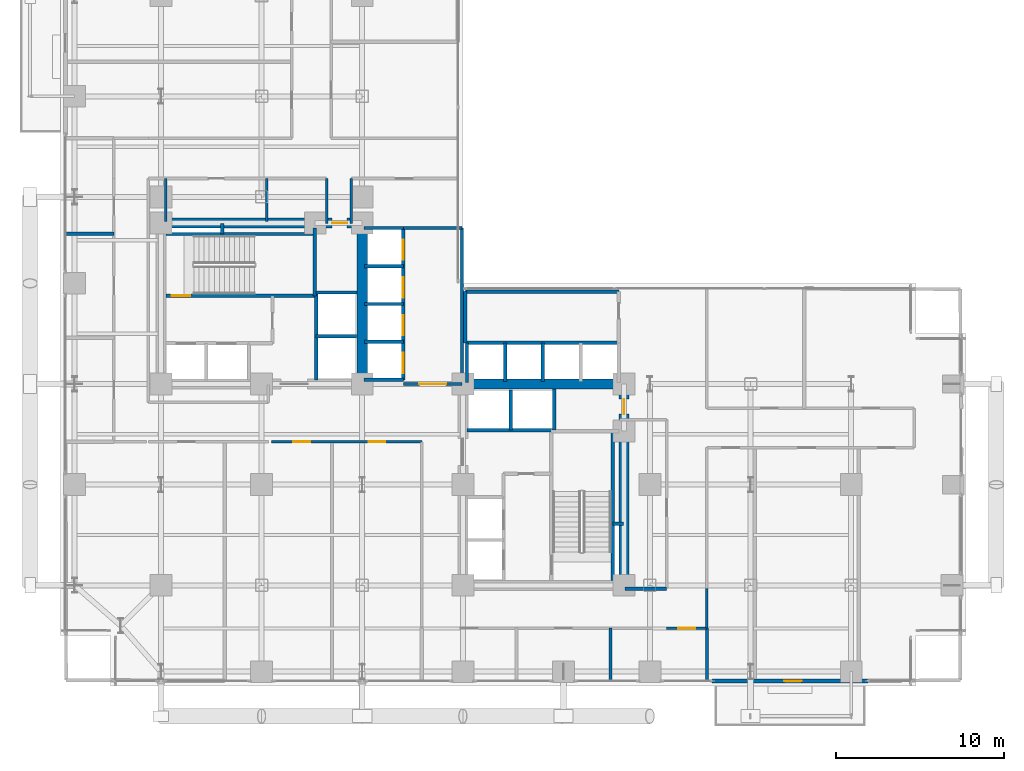
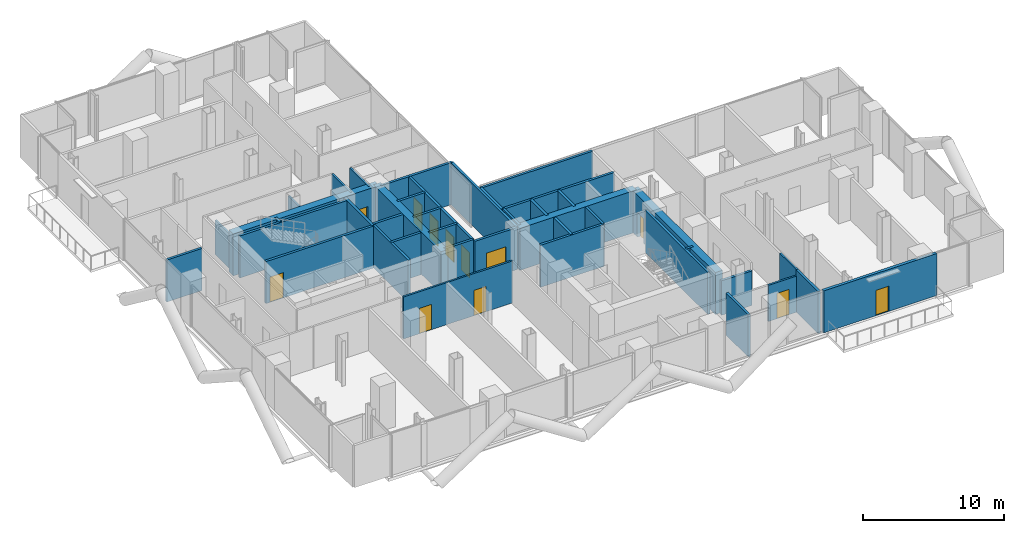
# One storey, part 22 of 27: 43 walls, 12 doors, 12 openings.
"""IFC4 building model written with IfcOpenShell, lengths in metres."""

from ifc_helpers import new_model, si_unit, direction, frame, frame_2d, origin, place, context, subcontext, project, spatial, rectangle, extrude, material, layer, layer_set, type_object, element, fill, save


model = new_model("IFC4")

# Units and contexts
model_context = context("Model", 3, precision=1e-05, world=origin(), true_north=direction((0.0, 1.0)))
body_context = subcontext(model_context, "Body", "Model", "MODEL_VIEW")
ifc_project = project(units=[si_unit("LENGTHUNIT", "METRE"), si_unit("AREAUNIT", "SQUARE_METRE"), si_unit("VOLUMEUNIT", "CUBIC_METRE"), si_unit("PLANEANGLEUNIT", "RADIAN"), si_unit("MASSUNIT", "GRAM", prefix="KILO"), si_unit("THERMODYNAMICTEMPERATUREUNIT", "KELVIN"), si_unit("POWERUNIT", "WATT")], contexts=[model_context])

# Site, building, storey
site_placement = place(None, origin())
site = spatial("IfcSite", under=ifc_project, at=site_placement, CompositionType="ELEMENT")
building_placement = place(site_placement, origin())
building = spatial("IfcBuilding", under=site, at=building_placement, Name="Svarakhadi Broadcast Tower", CompositionType="ELEMENT")
storey_placement = place(building_placement, frame((0.0, 0.0, 71.39990234375)))
storey = spatial("IfcBuildingStorey", under=building, at=storey_placement, Name="L16", CompositionType="ELEMENT", Elevation=71.39990234375)

# Walls
ifc_material_1 = material(Name="Double-Stud Acoustic Studio Partition STC-62", Category="gypsum")
ifc_layer_1 = layer(ifc_material_1, 0.199951171875)
ifc_layer_set_1 = layer_set([ifc_layer_1], Name="Double-Stud Acoustic Studio Partition STC-62")
wall_type_1 = type_object("IfcWallType", Name="Wall_Acoust_200", PredefinedType="PARTITIONING", material=ifc_layer_set_1)
wall_1_placement = place(storey_placement, frame((0.300048828125, 26.949951171875, 0.0), z_axis=(0.0, 0.0, 1.0), x_axis=(1.0, 0.0, 0.0)))
element("IfcWall", 1, at=wall_1_placement, inside=storey, type_object=wall_type_1, Name="L16 Live Translation Studio Wall", PredefinedType="PARTITIONING", context=body_context, shape_type="SweptSolid", body=[
    extrude(rectangle(XDim=2.89990234375, YDim=0.199951171875, at=frame_2d((1.449951171875, 0.0))), origin(), (0.0, 0.0, 1.0), 3.650146484375),
])
for number, where, z_axis, x_axis, name in (
    (2, (32.800048828125, 0.300048828125, 0.0), (0.0, 0.0, 1.0), (0.0, 1.0, 0.0), "L16 Media Legal Review Office Wall"),
    (3, (38.550048828125, 0.300048828125, 0.0), (0.0, 0.0, 1.0), (0.0, 1.0, 0.0), "L16 Broadcast Staff Refreshment Pantry Wall"),
):
    element("IfcWall", number, at=place(storey_placement, frame(where, z_axis=z_axis, x_axis=x_axis)), inside=storey, type_object=wall_type_1, Name=name, PredefinedType="PARTITIONING", context=body_context, shape_type="SweptSolid", body=[
        extrude(rectangle(XDim=3.14990234375, YDim=0.199951171875, at=frame_2d((1.574951171875, 0.0))), origin(), (0.0, 0.0, 1.0), 3.650146484375),
    ])
wall_2_placement = place(storey_placement, frame((33.64990234375, 5.800048828125, 0.0), z_axis=(0.0, 0.0, 1.0), x_axis=(1.0, 0.0, 0.0)))
element("IfcWall", 4, at=wall_2_placement, inside=storey, type_object=wall_type_1, Name="L16 Live Feed Monitoring Studio Wall", PredefinedType="PARTITIONING", context=body_context, shape_type="SweptSolid", body=[
    extrude(rectangle(XDim=2.5, YDim=0.199951171875, at=frame_2d((1.25, 0.0))), origin(), (0.0, 0.0, 1.0), 2.9921875),
])

# Wall, opening, door
ifc_material_2 = material(Name="Concrete C40/50 (IS 456 M50)", Category="concrete")
ifc_layer_2 = layer(ifc_material_2, 0.239990234375)
ifc_layer_set_2 = layer_set([ifc_layer_2], Name="Concrete C40/50 (IS 456 M50)")
wall_type_2 = type_object("IfcWallType", Name="Wall_Ext_240", PredefinedType="SOLIDWALL", material=ifc_layer_set_2)
wall_3_placement = place(storey_placement, frame((48.14501953125, 0.300048828125, 0.0), z_axis=(0.0, 0.0, 1.0), x_axis=(-1.0, 0.0, 0.0)))
wall_3 = element("IfcWall", 5, at=wall_3_placement, inside=storey, type_object=wall_type_2, Name="L16 South Tree Balcony Spandrel Wall", PredefinedType="SOLIDWALL", context=body_context, shape_type="SweptSolid", body=[
    extrude(rectangle(XDim=9.2900390625, YDim=0.239990234375, at=frame_2d((4.64501953125, 0.0))), origin(), (0.0, 0.0, 1.0), 3.650146484375),
])
opening_1_placement = place(wall_3_placement, frame((3.945068359375, 0.0, 0.0)))
opening_1 = element("IfcOpeningElement", 6, at=opening_1_placement, cuts=wall_3, Name="Opening ED-06", PredefinedType="OPENING", context=body_context, shape_type="SweptSolid", body=[
    extrude(rectangle(XDim=1.050048828125, YDim=2.199951171875, at=frame_2d((0.52490234375, 1.10009765625))), frame((0.0, 0.1298828125, 0.0), z_axis=(0.0, -1.0, 0.0), x_axis=(1.0, 0.0, 0.0)), (0.0, 0.0, 1.0), 0.260009765625),
])
ifc_material_3 = material(Name="Anodised Bronze Aluminium AA 6063-T6", Category="aluminium")
door_type_1 = type_object("IfcDoorType", Name="Door_Ext_ED06", OperationType="SINGLE_SWING_RIGHT", PredefinedType="DOOR", material=ifc_material_3)
door_1_placement = place(opening_1_placement, origin())
door_1 = element("IfcDoor", 7, at=door_1_placement, inside=storey, type_object=door_type_1, Name="L16 South Tree Balcony Door", OperationType="SINGLE_SWING_RIGHT", OverallHeight=2.199951171875, OverallWidth=1.050048828125, PredefinedType="DOOR", context=body_context, shape_type="SweptSolid", body=[
    extrude(rectangle(XDim=1.050048828125, YDim=2.199951171875, at=frame_2d((0.52490234375, 1.10009765625))), frame((0.0, 0.02490234375, 0.0), z_axis=(0.0, -1.0, 0.0), x_axis=(1.0, 0.0, 0.0)), (0.0, 0.0, 1.0), 0.050048828125),
])
fill(opening_1, door_1)

# Walls
ifc_layer_3 = layer(ifc_material_2, 0.199951171875)
ifc_layer_set_3 = layer_set([ifc_layer_3], Name="Concrete C40/50 (IS 456 M50)")
wall_type_3 = type_object("IfcWallType", Name="Wall_Fire_200", PredefinedType="SOLIDWALL", material=ifc_layer_set_3)
for number, where, z_axis, x_axis, name in (
    (8, (9.659912109375, 26.93994140625, 0.0), (0.0, 0.0, 1.0), (0.0, 1.0, 0.0), "L16 Wet Riser Shaft East Wall"),
    (9, (32.93994140625, 9.659912109375, 0.0), (0.0, 0.0, 1.0), (1.0, 0.0, 0.0), "L16 HV Busduct Riser Shaft North Wall"),
):
    element("IfcWall", number, at=place(storey_placement, frame(where, z_axis=z_axis, x_axis=x_axis)), inside=storey, type_object=wall_type_3, Name=name, PredefinedType="SOLIDWALL", context=body_context, shape_type="SweptSolid", body=[
        extrude(rectangle(XDim=0.64013671875, YDim=0.199951171875, at=frame_2d((0.320068359375, 0.0))), origin(), (0.0, 0.0, 1.0), 3.650146484375),
    ])
ifc_material_4 = material(Name="Autoclaved Aerated Concrete Blockwork 150 mm", Category="masonry")
ifc_layer_4 = layer(ifc_material_4, 0.14990234375)
ifc_layer_set_4 = layer_set([ifc_layer_4], Name="Autoclaved Aerated Concrete Blockwork 150 mm")
wall_type_4 = type_object("IfcWallType", Name="Wall_Part_150", PredefinedType="PARTITIONING", material=ifc_layer_set_4)
wall_4_placement = place(storey_placement, frame((38.550048828125, 5.800048828125, 0.0), z_axis=(0.0, 0.0, 1.0), x_axis=(0.0, -1.0, 0.0)))
element("IfcWall", 10, at=wall_4_placement, inside=storey, type_object=wall_type_4, Name="L16 Broadcast Corridor Wall", PredefinedType="PARTITIONING", context=body_context, shape_type="SweptSolid", body=[
    extrude(rectangle(XDim=2.35009765625, YDim=0.14990234375, at=frame_2d((1.175048828125, 0.0))), origin(), (0.0, 0.0, 1.0), 3.650146484375),
])

# Wall, opening, door
wall_5_placement = place(storey_placement, frame((38.550048828125, 3.449951171875, 0.0), z_axis=(0.0, 0.0, 1.0), x_axis=(-1.0, 0.0, 0.0)))
wall_5 = element("IfcWall", 11, at=wall_5_placement, inside=storey, type_object=wall_type_4, Name="L16 Broadcast Corridor Wall", PredefinedType="PARTITIONING", context=body_context, shape_type="SweptSolid", body=[
    extrude(rectangle(XDim=2.400146484375, YDim=0.14990234375, at=frame_2d((1.2001953125, 0.0))), origin(), (0.0, 0.0, 1.0), 3.14208984375),
])
opening_2_placement = place(wall_5_placement, frame((0.699951171875, 0.0, 0.0)))
opening_2 = element("IfcOpeningElement", 12, at=opening_2_placement, cuts=wall_5, Name="Opening D-08", PredefinedType="OPENING", context=body_context, shape_type="SweptSolid", body=[
    extrude(rectangle(XDim=1.0, YDim=2.199951171875, at=frame_2d((0.5, 1.10009765625))), frame((0.0, 0.0849609375, 0.0), z_axis=(0.0, -1.0, 0.0), x_axis=(1.0, 0.0, 0.0)), (0.0, 0.0, 1.0), 0.169921875),
])
ifc_material_5 = material(Name="Solid-Core Teak Veneer Acoustic Timber Leaf", Category="wood")
door_type_2 = type_object("IfcDoorType", Name="Door_Suite_D08", OperationType="SINGLE_SWING_LEFT", PredefinedType="DOOR", material=ifc_material_5)
door_2_placement = place(opening_2_placement, origin())
door_2 = element("IfcDoor", 13, at=door_2_placement, inside=storey, type_object=door_type_2, Name="L16 Broadcast Staff Refreshment Pantry Door", OperationType="SINGLE_SWING_LEFT", OverallHeight=2.199951171875, OverallWidth=1.0, PredefinedType="DOOR", context=body_context, shape_type="SweptSolid", body=[
    extrude(rectangle(XDim=1.0, YDim=2.199951171875, at=frame_2d((0.5, 1.10009765625))), frame((0.0, 0.02490234375, 0.0), z_axis=(0.0, -1.0, 0.0), x_axis=(1.0, 0.0, 0.0)), (0.0, 0.0, 1.0), 0.050048828125),
])
fill(opening_2, door_2)

# Wall, openings, doors
wall_6_placement = place(storey_placement, frame((21.550048828125, 14.550048828125, 0.0), z_axis=(0.0, 0.0, 1.0), x_axis=(-1.0, 0.0, 0.0)))
wall_6 = element("IfcWall", 14, at=wall_6_placement, inside=storey, type_object=wall_type_4, Name="L16 Broadcast Corridor Wall", PredefinedType="PARTITIONING", context=body_context, shape_type="SweptSolid", body=[
    extrude(rectangle(XDim=8.949951171875, YDim=0.14990234375, at=frame_2d((4.47509765625, 0.0))), origin(), (0.0, 0.0, 1.0), 3.650146484375),
])
opening_3_placement = place(wall_6_placement, frame((6.64990234375, 0.0, 0.0)))
opening_3 = element("IfcOpeningElement", 15, at=opening_3_placement, cuts=wall_6, Name="Opening D-09", PredefinedType="OPENING", context=body_context, shape_type="SweptSolid", body=[
    extrude(rectangle(XDim=1.0, YDim=2.199951171875, at=frame_2d((0.5, 1.10009765625))), frame((0.0, 0.0849609375, 0.0), z_axis=(0.0, -1.0, 0.0), x_axis=(1.0, 0.0, 0.0)), (0.0, 0.0, 1.0), 0.169921875),
])
opening_4_placement = place(wall_6_placement, frame((2.175048828125, 0.0, 0.0)))
opening_4 = element("IfcOpeningElement", 16, at=opening_4_placement, cuts=wall_6, Name="Opening D-08", PredefinedType="OPENING", context=body_context, shape_type="SweptSolid", body=[
    extrude(rectangle(XDim=1.0, YDim=2.199951171875, at=frame_2d((0.5, 1.10009765625))), frame((0.0, 0.0849609375, 0.0), z_axis=(0.0, -1.0, 0.0), x_axis=(1.0, 0.0, 0.0)), (0.0, 0.0, 1.0), 0.169921875),
])
door_3_placement = place(opening_4_placement, origin())
door_3 = element("IfcDoor", 17, at=door_3_placement, inside=storey, type_object=door_type_2, Name="L16 Cold Larder Store Door", OperationType="SINGLE_SWING_LEFT", OverallHeight=2.199951171875, OverallWidth=1.0, PredefinedType="DOOR", context=body_context, shape_type="SweptSolid", body=[
    extrude(rectangle(XDim=1.0, YDim=2.199951171875, at=frame_2d((0.5, 1.10009765625))), frame((0.0, 0.02490234375, 0.0), z_axis=(0.0, -1.0, 0.0), x_axis=(1.0, 0.0, 0.0)), (0.0, 0.0, 1.0), 0.050048828125),
])
fill(opening_4, door_3)
door_type_3 = type_object("IfcDoorType", Name="Door_Suite_D09", OperationType="SINGLE_SWING_RIGHT", PredefinedType="DOOR", material=ifc_material_5)
door_4_placement = place(opening_3_placement, origin())
door_4 = element("IfcDoor", 18, at=door_4_placement, inside=storey, type_object=door_type_3, Name="L16 Central Commercial Catering Kitchen Door", OperationType="SINGLE_SWING_RIGHT", OverallHeight=2.199951171875, OverallWidth=1.0, PredefinedType="DOOR", context=body_context, shape_type="SweptSolid", body=[
    extrude(rectangle(XDim=1.0, YDim=2.199951171875, at=frame_2d((0.5, 1.10009765625))), frame((0.0, 0.02490234375, 0.0), z_axis=(0.0, -1.0, 0.0), x_axis=(1.0, 0.0, 0.0)), (0.0, 0.0, 1.0), 0.050048828125),
])
fill(opening_3, door_4)

# Walls
for number, where, z_axis, x_axis, name in (
    (19, (17.35009765625, 30.25, 0.0), (0.0, 0.0, 1.0), (0.0, -1.0, 0.0), "L16 Broadcast Corridor Wall"),
    (20, (15.8798828125, 27.580078125, 0.0), (0.0, 0.0, 1.0), (0.0, 1.0, 0.0), "L16 Broadcast Corridor Wall"),
):
    element("IfcWall", number, at=place(storey_placement, frame(where, z_axis=z_axis, x_axis=x_axis)), inside=storey, type_object=wall_type_4, Name=name, PredefinedType="PARTITIONING", context=body_context, shape_type="SweptSolid", body=[
        extrude(rectangle(XDim=2.669921875, YDim=0.14990234375, at=frame_2d((1.3349609375, 0.0))), origin(), (0.0, 0.0, 1.0), 3.650146484375),
    ])
for number, where, z_axis, x_axis, name in (
    (21, (6.300048828125, 27.679931640625, 0.0), (0.0, 0.0, 1.0), (0.0, 1.0, 0.0), "L16 Accessible Toilet WC Wall"),
    (22, (12.300048828125, 27.679931640625, 0.0), (0.0, 0.0, 1.0), (0.0, 1.0, 0.0), "L16 Accessible Toilet WC Wall"),
):
    element("IfcWall", number, at=place(storey_placement, frame(where, z_axis=z_axis, x_axis=x_axis)), inside=storey, type_object=wall_type_4, Name=name, PredefinedType="PARTITIONING", context=body_context, shape_type="SweptSolid", body=[
        extrude(rectangle(XDim=2.570068359375, YDim=0.14990234375, at=frame_2d((1.28515625, 0.0))), origin(), (0.0, 0.0, 1.0), 2.9921875),
    ])

# Wall, opening, door
ifc_material_6 = material(Name="Concrete C50/60 (IS 456 M60)", Category="concrete")
ifc_layer_5 = layer(ifc_material_6, 0.199951171875)
ifc_layer_set_5 = layer_set([ifc_layer_5], Name="Concrete C50/60 (IS 456 M60)")
wall_type_5 = type_object("IfcWallType", Name="Wall_Shear_200", PredefinedType="SHEAR", material=ifc_layer_set_5)
wall_7_placement = place(storey_placement, frame((6.300048828125, 23.260009765625, 0.0), z_axis=(0.0, 0.0, 1.0), x_axis=(1.0, 0.0, 0.0)))
wall_7 = element("IfcWall", 23, at=wall_7_placement, inside=storey, type_object=wall_type_5, Name="L16 Stair ST-01 South RC Shaft Wall", PredefinedType="SHEAR", context=body_context, shape_type="SweptSolid", body=[
    extrude(rectangle(XDim=8.8798828125, YDim=0.199951171875, at=frame_2d((4.43994140625, 0.0))), origin(), (0.0, 0.0, 1.0), 3.650146484375),
])
opening_5_placement = place(wall_7_placement, frame((0.35009765625, 0.0, 0.0)))
opening_5 = element("IfcOpeningElement", 24, at=opening_5_placement, cuts=wall_7, Name="Opening D-01", PredefinedType="OPENING", context=body_context, shape_type="SweptSolid", body=[
    extrude(rectangle(XDim=1.10009765625, YDim=2.199951171875, at=frame_2d((0.550048828125, 1.10009765625))), frame((0.0, 0.10986328125, 0.0), z_axis=(0.0, -1.0, 0.0), x_axis=(1.0, 0.0, 0.0)), (0.0, 0.0, 1.0), 0.219970703125),
])
ifc_material_7 = material(Name="Galvanised Powder-Coated Fire-Rated Steel Leaf", Category="steel")
door_type_4 = type_object("IfcDoorType", Name="Door_Stair_D01", OperationType="SINGLE_SWING_LEFT", PredefinedType="DOOR", material=ifc_material_7)
door_5_placement = place(opening_5_placement, origin())
door_5 = element("IfcDoor", 25, at=door_5_placement, inside=storey, type_object=door_type_4, Name="L16 Protected Exit Stair ST-01 Fire Door", OperationType="SINGLE_SWING_LEFT", OverallHeight=2.199951171875, OverallWidth=1.10009765625, PredefinedType="DOOR", context=body_context, shape_type="SweptSolid", body=[
    extrude(rectangle(XDim=1.10009765625, YDim=2.199951171875, at=frame_2d((0.550048828125, 1.10009765625))), frame((0.0, 0.02490234375, 0.0), z_axis=(0.0, -1.0, 0.0), x_axis=(1.0, 0.0, 0.0)), (0.0, 0.0, 1.0), 0.050048828125),
])
fill(opening_5, door_5)

# Walls
wall_8_placement = place(storey_placement, frame((6.300048828125, 26.93994140625, 0.0), z_axis=(0.0, 0.0, 1.0), x_axis=(1.0, 0.0, 0.0)))
element("IfcWall", 26, at=wall_8_placement, inside=storey, type_object=wall_type_5, Name="L16 Stair ST-01 North RC Shaft Wall", PredefinedType="SHEAR", context=body_context, shape_type="SweptSolid", body=[
    extrude(rectangle(XDim=8.8798828125, YDim=0.199951171875, at=frame_2d((4.43994140625, 0.0))), origin(), (0.0, 0.0, 1.0), 3.650146484375),
])
wall_9_placement = place(storey_placement, frame((15.179931640625, 23.260009765625, 0.0), z_axis=(0.0, 0.0, 1.0), x_axis=(0.0, 1.0, 0.0)))
element("IfcWall", 27, at=wall_9_placement, inside=storey, type_object=wall_type_5, Name="L16 Stair ST-01 East RC Shaft Wall", PredefinedType="SHEAR", context=body_context, shape_type="SweptSolid", body=[
    extrude(rectangle(XDim=4.0400390625, YDim=0.199951171875, at=frame_2d((2.02001953125, 0.0))), origin(), (0.0, 0.0, 1.0), 3.650146484375),
])
wall_10_placement = place(storey_placement, frame((32.93994140625, 6.300048828125, 0.0), z_axis=(0.0, 0.0, 1.0), x_axis=(0.0, 1.0, 0.0)))
element("IfcWall", 28, at=wall_10_placement, inside=storey, type_object=wall_type_5, Name="L16 Stair ST-02 East RC Shaft Wall", PredefinedType="SHEAR", context=body_context, shape_type="SweptSolid", body=[
    extrude(rectangle(XDim=8.8798828125, YDim=0.199951171875, at=frame_2d((4.43994140625, 0.0))), origin(), (0.0, 0.0, 1.0), 3.650146484375),
])
wall_11_placement = place(storey_placement, frame((15.25, 18.25, 0.0), z_axis=(0.0, 0.0, 1.0), x_axis=(0.0, 1.0, 0.0)))
element("IfcWall", 29, at=wall_11_placement, inside=storey, type_object=wall_type_5, Name="L16 High-Rise Lift LF-13/14 West Shaft Wall", PredefinedType="SHEAR", context=body_context, shape_type="SweptSolid", body=[
    extrude(rectangle(XDim=5.199951171875, YDim=0.199951171875, at=frame_2d((2.60009765625, 0.0))), origin(), (0.0, 0.0, 1.0), 3.650146484375),
])
wall_12_placement = place(storey_placement, frame((15.25, 20.85009765625, 0.0), z_axis=(0.0, 0.0, 1.0), x_axis=(1.0, 0.0, 0.0)))
element("IfcWall", 30, at=wall_12_placement, inside=storey, type_object=wall_type_5, Name="L16 High-Rise Lift LF-13/14 Divider", PredefinedType="SHEAR", context=body_context, shape_type="SweptSolid", body=[
    extrude(rectangle(XDim=2.39990234375, YDim=0.199951171875, at=frame_2d((1.199951171875, 0.0))), origin(), (0.0, 0.0, 1.0), 3.650146484375),
])
wall_13_placement = place(storey_placement, frame((15.25, 23.449951171875, 0.0), z_axis=(0.0, 0.0, 1.0), x_axis=(1.0, 0.0, 0.0)))
element("IfcWall", 31, at=wall_13_placement, inside=storey, type_object=wall_type_5, Name="L16 High-Rise Lift LF-13/14 North Wall", PredefinedType="SHEAR", context=body_context, shape_type="SweptSolid", body=[
    extrude(rectangle(XDim=2.449951171875, YDim=0.199951171875, at=frame_2d((1.22509765625, 0.0))), origin(), (0.0, 0.0, 1.0), 3.650146484375),
])
wall_14_placement = place(storey_placement, frame((24.25, 15.25, 0.0), z_axis=(0.0, 0.0, 1.0), x_axis=(1.0, 0.0, 0.0)))
element("IfcWall", 32, at=wall_14_placement, inside=storey, type_object=wall_type_5, Name="L16 High-Rise Lift LF-15/16 South Shaft Wall", PredefinedType="SHEAR", context=body_context, shape_type="SweptSolid", body=[
    extrude(rectangle(XDim=5.199951171875, YDim=0.199951171875, at=frame_2d((2.60009765625, 0.0))), origin(), (0.0, 0.0, 1.0), 3.650146484375),
])
wall_15_placement = place(storey_placement, frame((26.85009765625, 15.25, 0.0), z_axis=(0.0, 0.0, 1.0), x_axis=(0.0, 1.0, 0.0)))
element("IfcWall", 33, at=wall_15_placement, inside=storey, type_object=wall_type_5, Name="L16 High-Rise Lift LF-15/16 Divider", PredefinedType="SHEAR", context=body_context, shape_type="SweptSolid", body=[
    extrude(rectangle(XDim=2.39990234375, YDim=0.199951171875, at=frame_2d((1.199951171875, 0.0))), origin(), (0.0, 0.0, 1.0), 3.650146484375),
])
wall_16_placement = place(storey_placement, frame((29.449951171875, 15.25, 0.0), z_axis=(0.0, 0.0, 1.0), x_axis=(0.0, 1.0, 0.0)))
element("IfcWall", 34, at=wall_16_placement, inside=storey, type_object=wall_type_5, Name="L16 High-Rise Lift LF-15/16 East Wall", PredefinedType="SHEAR", context=body_context, shape_type="SweptSolid", body=[
    extrude(rectangle(XDim=2.449951171875, YDim=0.199951171875, at=frame_2d((1.22509765625, 0.0))), origin(), (0.0, 0.0, 1.0), 3.650146484375),
])
for number, where, z_axis, x_axis, name in (
    (35, (18.10009765625, 27.300048828125, 0.0), (0.0, 0.0, 1.0), (1.0, 0.0, 0.0), "L16 Bank A North Shaft Wall"),
    (36, (18.10009765625, 18.25, 0.0), (0.0, 0.0, 1.0), (1.0, 0.0, 0.0), "L16 Bank A South Shaft Wall"),
):
    element("IfcWall", number, at=place(storey_placement, frame(where, z_axis=z_axis, x_axis=x_axis)), inside=storey, type_object=wall_type_5, Name=name, PredefinedType="SHEAR", context=body_context, shape_type="SweptSolid", body=[
        extrude(rectangle(XDim=2.349853515625, YDim=0.199951171875, at=frame_2d((1.1748046875, 0.0))), origin(), (0.0, 0.0, 1.0), 3.650146484375),
    ])

# Wall, openings, doors
wall_17_placement = place(storey_placement, frame((20.449951171875, 18.25, 0.0), z_axis=(0.0, 0.0, 1.0), x_axis=(0.0, 1.0, 0.0)))
wall_17 = element("IfcWall", 37, at=wall_17_placement, inside=storey, type_object=wall_type_5, Name="L16 Bank A East Landing Wall", PredefinedType="SHEAR", context=body_context, shape_type="SweptSolid", body=[
    extrude(rectangle(XDim=9.050048828125, YDim=0.199951171875, at=frame_2d((4.52490234375, 0.0))), origin(), (0.0, 0.0, 1.0), 3.650146484375),
])
opening_6_placement = place(wall_17_placement, frame((0.39990234375, 0.0, 0.0)))
opening_6 = element("IfcOpeningElement", 38, at=opening_6_placement, cuts=wall_17, Name="Opening LD-02", PredefinedType="OPENING", context=body_context, shape_type="SweptSolid", body=[
    extrude(rectangle(XDim=1.199951171875, YDim=2.199951171875, at=frame_2d((0.60009765625, 1.10009765625))), frame((0.0, 0.10986328125, 0.0), z_axis=(0.0, -1.0, 0.0), x_axis=(1.0, 0.0, 0.0)), (0.0, 0.0, 1.0), 0.219970703125),
])
opening_7_placement = place(wall_17_placement, frame((2.64990234375, 0.0, 0.0)))
opening_7 = element("IfcOpeningElement", 39, at=opening_7_placement, cuts=wall_17, Name="Opening LD-02", PredefinedType="OPENING", context=body_context, shape_type="SweptSolid", body=[
    extrude(rectangle(XDim=1.199951171875, YDim=2.199951171875, at=frame_2d((0.60009765625, 1.10009765625))), frame((0.0, 0.10986328125, 0.0), z_axis=(0.0, -1.0, 0.0), x_axis=(1.0, 0.0, 0.0)), (0.0, 0.0, 1.0), 0.219970703125),
])
opening_8_placement = place(wall_17_placement, frame((4.89990234375, 0.0, 0.0)))
opening_8 = element("IfcOpeningElement", 40, at=opening_8_placement, cuts=wall_17, Name="Opening LD-02", PredefinedType="OPENING", context=body_context, shape_type="SweptSolid", body=[
    extrude(rectangle(XDim=1.199951171875, YDim=2.199951171875, at=frame_2d((0.60009765625, 1.10009765625))), frame((0.0, 0.10986328125, 0.0), z_axis=(0.0, -1.0, 0.0), x_axis=(1.0, 0.0, 0.0)), (0.0, 0.0, 1.0), 0.219970703125),
])
opening_9_placement = place(wall_17_placement, frame((7.14990234375, 0.0, 0.0)))
opening_9 = element("IfcOpeningElement", 41, at=opening_9_placement, cuts=wall_17, Name="Opening LD-02", PredefinedType="OPENING", context=body_context, shape_type="SweptSolid", body=[
    extrude(rectangle(XDim=1.199951171875, YDim=2.199951171875, at=frame_2d((0.60009765625, 1.10009765625))), frame((0.0, 0.10986328125, 0.0), z_axis=(0.0, -1.0, 0.0), x_axis=(1.0, 0.0, 0.0)), (0.0, 0.0, 1.0), 0.219970703125),
])
door_type_5 = type_object("IfcDoorType", Name="Door_Lift_LD02", OperationType="SLIDING_TO_RIGHT", PredefinedType="DOOR", material=ifc_material_7)
door_6_placement = place(opening_6_placement, origin())
door_6 = element("IfcDoor", 42, at=door_6_placement, inside=storey, type_object=door_type_5, Name="L16 Low-Rise Lift LF-05 Landing Door", OperationType="SLIDING_TO_RIGHT", OverallHeight=2.199951171875, OverallWidth=1.199951171875, PredefinedType="DOOR", context=body_context, shape_type="SweptSolid", body=[
    extrude(rectangle(XDim=1.199951171875, YDim=2.199951171875, at=frame_2d((0.60009765625, 1.10009765625))), frame((0.0, 0.02490234375, 0.0), z_axis=(0.0, -1.0, 0.0), x_axis=(1.0, 0.0, 0.0)), (0.0, 0.0, 1.0), 0.050048828125),
])
fill(opening_6, door_6)
door_7_placement = place(opening_7_placement, origin())
door_7 = element("IfcDoor", 43, at=door_7_placement, inside=storey, type_object=door_type_5, Name="L16 Low-Rise Lift LF-06 Landing Door", OperationType="SLIDING_TO_RIGHT", OverallHeight=2.199951171875, OverallWidth=1.199951171875, PredefinedType="DOOR", context=body_context, shape_type="SweptSolid", body=[
    extrude(rectangle(XDim=1.199951171875, YDim=2.199951171875, at=frame_2d((0.60009765625, 1.10009765625))), frame((0.0, 0.02490234375, 0.0), z_axis=(0.0, -1.0, 0.0), x_axis=(1.0, 0.0, 0.0)), (0.0, 0.0, 1.0), 0.050048828125),
])
fill(opening_7, door_7)
door_8_placement = place(opening_8_placement, origin())
door_8 = element("IfcDoor", 44, at=door_8_placement, inside=storey, type_object=door_type_5, Name="L16 Low-Rise Lift LF-07 Landing Door", OperationType="SLIDING_TO_RIGHT", OverallHeight=2.199951171875, OverallWidth=1.199951171875, PredefinedType="DOOR", context=body_context, shape_type="SweptSolid", body=[
    extrude(rectangle(XDim=1.199951171875, YDim=2.199951171875, at=frame_2d((0.60009765625, 1.10009765625))), frame((0.0, 0.02490234375, 0.0), z_axis=(0.0, -1.0, 0.0), x_axis=(1.0, 0.0, 0.0)), (0.0, 0.0, 1.0), 0.050048828125),
])
fill(opening_8, door_8)
door_9_placement = place(opening_9_placement, origin())
door_9 = element("IfcDoor", 45, at=door_9_placement, inside=storey, type_object=door_type_5, Name="L16 Low-Rise Lift LF-08 Landing Door", OperationType="SLIDING_TO_RIGHT", OverallHeight=2.199951171875, OverallWidth=1.199951171875, PredefinedType="DOOR", context=body_context, shape_type="SweptSolid", body=[
    extrude(rectangle(XDim=1.199951171875, YDim=2.199951171875, at=frame_2d((0.60009765625, 1.10009765625))), frame((0.0, 0.02490234375, 0.0), z_axis=(0.0, -1.0, 0.0), x_axis=(1.0, 0.0, 0.0)), (0.0, 0.0, 1.0), 0.050048828125),
])
fill(opening_9, door_9)

# Walls
for number, where, z_axis, x_axis, name in (
    (46, (18.14990234375, 20.52001953125, 0.0), (0.0, 0.0, 1.0), (1.0, 0.0, 0.0), "L16 Bank A Divider"),
    (47, (18.14990234375, 22.77001953125, 0.0), (0.0, 0.0, 1.0), (1.0, 0.0, 0.0), "L16 Bank A Divider"),
    (48, (18.14990234375, 25.02001953125, 0.0), (0.0, 0.0, 1.0), (1.0, 0.0, 0.0), "L16 Bank A Divider"),
):
    element("IfcWall", number, at=place(storey_placement, frame(where, z_axis=z_axis, x_axis=x_axis)), inside=storey, type_object=wall_type_5, Name=name, PredefinedType="SHEAR", context=body_context, shape_type="SweptSolid", body=[
        extrude(rectangle(XDim=2.300048828125, YDim=0.199951171875, at=frame_2d((1.14990234375, 0.0))), origin(), (0.0, 0.0, 1.0), 3.650146484375),
    ])

# Wall, opening, door
wall_18_placement = place(storey_placement, frame((20.449951171875, 18.0, 0.0), z_axis=(0.0, 0.0, 1.0), x_axis=(1.0, 0.0, 0.0)))
wall_18 = element("IfcWall", 49, at=wall_18_placement, inside=storey, type_object=wall_type_5, Name="L16 Bank A Lift Hall South Wall", PredefinedType="SHEAR", context=body_context, shape_type="SweptSolid", body=[
    extrude(rectangle(XDim=3.5, YDim=0.199951171875, at=frame_2d((1.75, 0.0))), origin(), (0.0, 0.0, 1.0), 3.650146484375),
])
opening_10_placement = place(wall_18_placement, frame((0.949951171875, 0.0, 0.0)))
opening_10 = element("IfcOpeningElement", 50, at=opening_10_placement, cuts=wall_18, Name="Opening D-05", PredefinedType="OPENING", context=body_context, shape_type="SweptSolid", body=[
    extrude(rectangle(XDim=1.60009765625, YDim=2.300048828125, at=frame_2d((0.800048828125, 1.14990234375))), frame((0.0, 0.10986328125, 0.0), z_axis=(0.0, -1.0, 0.0), x_axis=(1.0, 0.0, 0.0)), (0.0, 0.0, 1.0), 0.219970703125),
])
door_type_6 = type_object("IfcDoorType", Name="Door_Lobby_D05", OperationType="DOUBLE_DOOR_SLIDING", PredefinedType="DOOR", material=ifc_material_3)
door_10_placement = place(opening_10_placement, origin())
door_10 = element("IfcDoor", 51, at=door_10_placement, inside=storey, type_object=door_type_6, Name="L16 Low-Rise Lift Hall Corridor Door", OperationType="DOUBLE_DOOR_SLIDING", OverallHeight=2.300048828125, OverallWidth=1.60009765625, PredefinedType="DOOR", context=body_context, shape_type="SweptSolid", body=[
    extrude(rectangle(XDim=1.60009765625, YDim=2.300048828125, at=frame_2d((0.800048828125, 1.14990234375))), frame((0.0, 0.02490234375, 0.0), z_axis=(0.0, -1.0, 0.0), x_axis=(1.0, 0.0, 0.0)), (0.0, 0.0, 1.0), 0.050048828125),
])
fill(opening_10, door_10)

# Walls
wall_19_placement = place(storey_placement, frame((20.449951171875, 27.300048828125, 0.0), z_axis=(0.0, 0.0, 1.0), x_axis=(1.0, 0.0, 0.0)))
element("IfcWall", 52, at=wall_19_placement, inside=storey, type_object=wall_type_5, Name="L16 Bank A Lift Hall North Wall", PredefinedType="SHEAR", context=body_context, shape_type="SweptSolid", body=[
    extrude(rectangle(XDim=3.5, YDim=0.199951171875, at=frame_2d((1.75, 0.0))), origin(), (0.0, 0.0, 1.0), 3.650146484375),
])
wall_20_placement = place(storey_placement, frame((23.949951171875, 18.0, 0.0), z_axis=(0.0, 0.0, 1.0), x_axis=(0.0, 1.0, 0.0)))
element("IfcWall", 53, at=wall_20_placement, inside=storey, type_object=wall_type_5, Name="L16 Bank A Lift Hall East Wall", PredefinedType="SHEAR", context=body_context, shape_type="SweptSolid", body=[
    extrude(rectangle(XDim=9.300048828125, YDim=0.199951171875, at=frame_2d((4.64990234375, 0.0))), origin(), (0.0, 0.0, 1.0), 3.650146484375),
])
wall_21_placement = place(storey_placement, frame((24.25, 18.10009765625, 0.0), z_axis=(0.0, 0.0, 1.0), x_axis=(0.0, 1.0, 0.0)))
element("IfcWall", 54, at=wall_21_placement, inside=storey, type_object=wall_type_5, Name="L16 Bank B West Shaft Wall", PredefinedType="SHEAR", context=body_context, shape_type="SweptSolid", body=[
    extrude(rectangle(XDim=2.349853515625, YDim=0.199951171875, at=frame_2d((1.1748046875, 0.0))), origin(), (0.0, 0.0, 1.0), 3.650146484375),
])
wall_22_placement = place(storey_placement, frame((24.25, 20.449951171875, 0.0), z_axis=(0.0, 0.0, 1.0), x_axis=(1.0, 0.0, 0.0)))
element("IfcWall", 55, at=wall_22_placement, inside=storey, type_object=wall_type_5, Name="L16 Bank B North Landing Wall", PredefinedType="SHEAR", context=body_context, shape_type="SweptSolid", body=[
    extrude(rectangle(XDim=9.050048828125, YDim=0.199951171875, at=frame_2d((4.52490234375, 0.0))), origin(), (0.0, 0.0, 1.0), 3.650146484375),
])
for number, where, z_axis, x_axis, name in (
    (56, (26.52001953125, 18.14990234375, 0.0), (0.0, 0.0, 1.0), (0.0, 1.0, 0.0), "L16 Bank B Divider"),
    (57, (28.77001953125, 18.14990234375, 0.0), (0.0, 0.0, 1.0), (0.0, 1.0, 0.0), "L16 Bank B Divider"),
):
    element("IfcWall", number, at=place(storey_placement, frame(where, z_axis=z_axis, x_axis=x_axis)), inside=storey, type_object=wall_type_5, Name=name, PredefinedType="SHEAR", context=body_context, shape_type="SweptSolid", body=[
        extrude(rectangle(XDim=2.300048828125, YDim=0.199951171875, at=frame_2d((1.14990234375, 0.0))), origin(), (0.0, 0.0, 1.0), 3.650146484375),
    ])
wall_23_placement = place(storey_placement, frame((24.14990234375, 23.5, 0.0), z_axis=(0.0, 0.0, 1.0), x_axis=(1.0, 0.0, 0.0)))
element("IfcWall", 58, at=wall_23_placement, inside=storey, type_object=wall_type_5, Name="L16 Bank B Lift Hall North Wall", PredefinedType="SHEAR", context=body_context, shape_type="SweptSolid", body=[
    extrude(rectangle(XDim=9.150146484375, YDim=0.199951171875, at=frame_2d((4.5751953125, 0.0))), origin(), (0.0, 0.0, 1.0), 3.650146484375),
])
wall_24_placement = place(storey_placement, frame((24.14990234375, 20.449951171875, 0.0), z_axis=(0.0, 0.0, 1.0), x_axis=(0.0, 1.0, 0.0)))
element("IfcWall", 59, at=wall_24_placement, inside=storey, type_object=wall_type_5, Name="L16 Bank B Lift Hall West Wall", PredefinedType="SHEAR", context=body_context, shape_type="SweptSolid", body=[
    extrude(rectangle(XDim=3.050048828125, YDim=0.199951171875, at=frame_2d((1.52490234375, 0.0))), origin(), (0.0, 0.0, 1.0), 3.650146484375),
])

# Wall, opening, door
ifc_material_8 = material(Name="Concrete C60/75 (IS 456 M70)", Category="concrete")
ifc_layer_6 = layer(ifc_material_8, 0.60009765625)
ifc_layer_set_6 = layer_set([ifc_layer_6], Name="Concrete C60/75 (IS 456 M70)")
wall_type_6 = type_object("IfcWallType", Name="Wall_Shear_600", PredefinedType="SHEAR", material=ifc_layer_set_6)
wall_25_placement = place(storey_placement, frame((6.0, 27.60009765625, 0.0), z_axis=(0.0, 0.0, 1.0), x_axis=(1.0, 0.0, 0.0)))
wall_25 = element("IfcWall", 60, at=wall_25_placement, inside=storey, type_object=wall_type_6, Name="L16 West Core North Shear Wall", PredefinedType="SHEAR", context=body_context, shape_type="SweptSolid", body=[
    extrude(rectangle(XDim=12.0, YDim=0.60009765625, at=frame_2d((6.0, 0.0))), origin(), (0.0, 0.0, 1.0), 3.650146484375),
])
opening_11_placement = place(wall_25_placement, frame((10.199951171875, 0.0, 0.0)))
opening_11 = element("IfcOpeningElement", 61, at=opening_11_placement, cuts=wall_25, Name="Opening D-04", PredefinedType="OPENING", context=body_context, shape_type="SweptSolid", body=[
    extrude(rectangle(XDim=0.89990234375, YDim=2.14990234375, at=frame_2d((0.449951171875, 1.074951171875))), frame((0.0, 0.31005859375, 0.0), z_axis=(0.0, -1.0, 0.0), x_axis=(1.0, 0.0, 0.0)), (0.0, 0.0, 1.0), 0.6201171875),
])
door_type_7 = type_object("IfcDoorType", Name="Door_Fire_D04", OperationType="SINGLE_SWING_RIGHT", PredefinedType="DOOR", material=ifc_material_7)
door_11_placement = place(opening_11_placement, origin())
door_11 = element("IfcDoor", 62, at=door_11_placement, inside=storey, type_object=door_type_7, Name="L16 Core Service Room West Door", OperationType="SINGLE_SWING_RIGHT", OverallHeight=2.14990234375, OverallWidth=0.89990234375, PredefinedType="DOOR", context=body_context, shape_type="SweptSolid", body=[
    extrude(rectangle(XDim=0.89990234375, YDim=2.14990234375, at=frame_2d((0.449951171875, 1.074951171875))), frame((0.0, 0.02490234375, 0.0), z_axis=(0.0, -1.0, 0.0), x_axis=(1.0, 0.0, 0.0)), (0.0, 0.0, 1.0), 0.050048828125),
])
fill(opening_11, door_11)

# Walls
for number, where, z_axis, x_axis, name in (
    (63, (18.0, 18.0, 0.0), (0.0, 0.0, 1.0), (0.0, 1.0, 0.0), "L16 West Core East Shear Wall"),
    (64, (24.0, 18.0, 0.0), (0.0, 0.0, 1.0), (1.0, 0.0, 0.0), "L16 East Core North Shear Wall"),
):
    element("IfcWall", number, at=place(storey_placement, frame(where, z_axis=z_axis, x_axis=x_axis)), inside=storey, type_object=wall_type_6, Name=name, PredefinedType="SHEAR", context=body_context, shape_type="SweptSolid", body=[
        extrude(rectangle(XDim=9.60009765625, YDim=0.60009765625, at=frame_2d((4.800048828125, 0.0))), origin(), (0.0, 0.0, 1.0), 3.650146484375),
    ])

# Wall, opening, door
wall_26_placement = place(storey_placement, frame((33.60009765625, 6.0, 0.0), z_axis=(0.0, 0.0, 1.0), x_axis=(0.0, 1.0, 0.0)))
wall_26 = element("IfcWall", 65, at=wall_26_placement, inside=storey, type_object=wall_type_6, Name="L16 East Core East Shear Wall", PredefinedType="SHEAR", context=body_context, shape_type="SweptSolid", body=[
    extrude(rectangle(XDim=12.0, YDim=0.60009765625, at=frame_2d((6.0, 0.0))), origin(), (0.0, 0.0, 1.0), 3.650146484375),
])
opening_12_placement = place(wall_26_placement, frame((10.199951171875, 0.0, 0.0)))
opening_12 = element("IfcOpeningElement", 66, at=opening_12_placement, cuts=wall_26, Name="Opening D-04", PredefinedType="OPENING", context=body_context, shape_type="SweptSolid", body=[
    extrude(rectangle(XDim=0.89990234375, YDim=2.14990234375, at=frame_2d((0.449951171875, 1.074951171875))), frame((0.0, 0.31005859375, 0.0), z_axis=(0.0, -1.0, 0.0), x_axis=(1.0, 0.0, 0.0)), (0.0, 0.0, 1.0), 0.6201171875),
])
door_12_placement = place(opening_12_placement, origin())
door_12 = element("IfcDoor", 67, at=door_12_placement, inside=storey, type_object=door_type_7, Name="L16 Core Service Room East Door", OperationType="SINGLE_SWING_RIGHT", OverallHeight=2.14990234375, OverallWidth=0.89990234375, PredefinedType="DOOR", context=body_context, shape_type="SweptSolid", body=[
    extrude(rectangle(XDim=0.89990234375, YDim=2.14990234375, at=frame_2d((0.449951171875, 1.074951171875))), frame((0.0, 0.02490234375, 0.0), z_axis=(0.0, -1.0, 0.0), x_axis=(1.0, 0.0, 0.0)), (0.0, 0.0, 1.0), 0.050048828125),
])
fill(opening_12, door_12)

save(model, "model.ifc")
